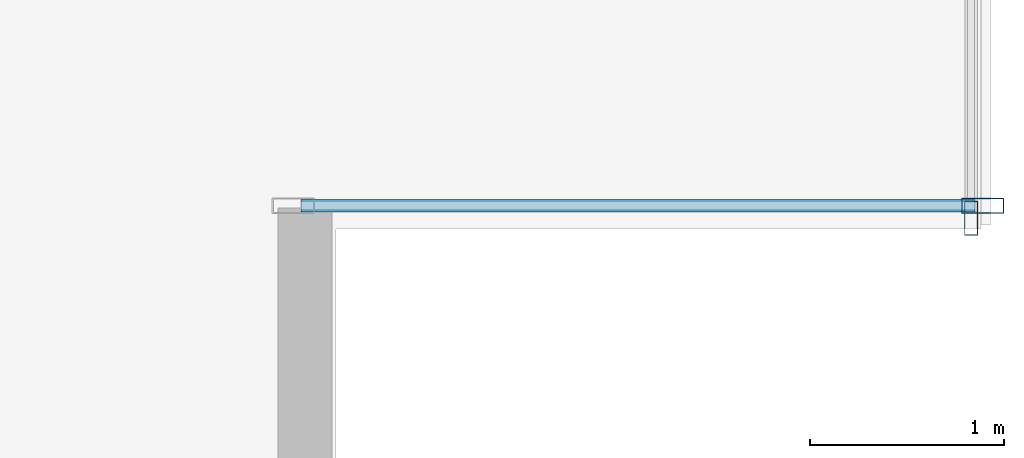
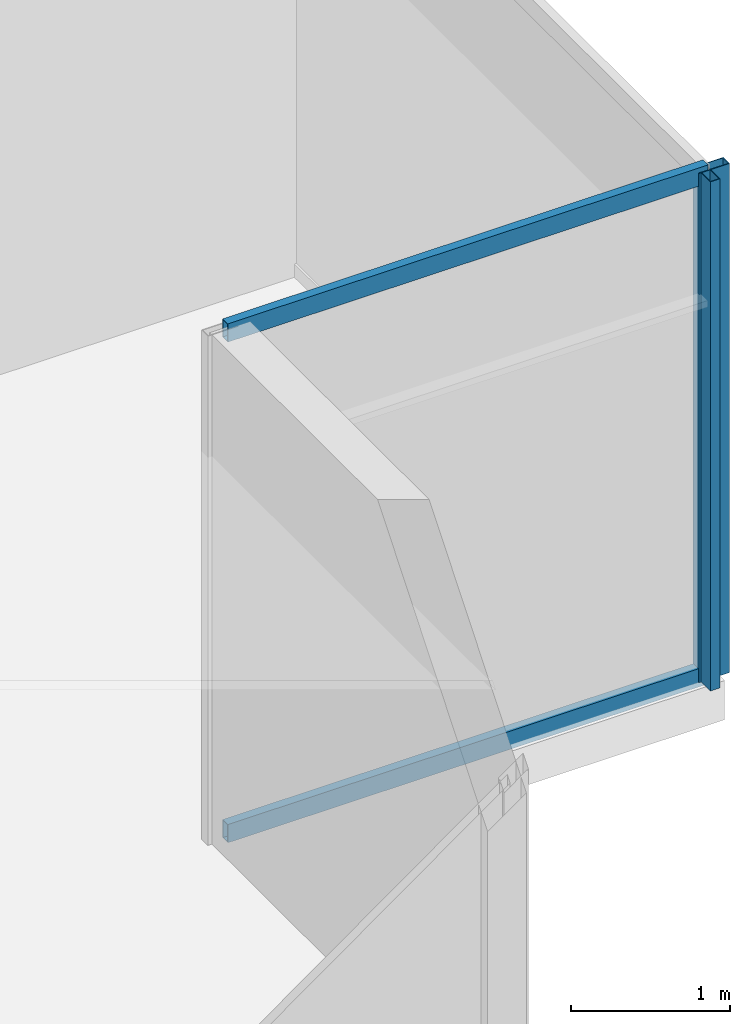
# One storey, part 14 of 32: 4 members, 2 elements without a shape of their own.
"""IFC4 building model written with IfcOpenShell, lengths in metres."""

from ifc_helpers import new_model, si_unit, direction, frame, origin, origin_2d, place, context, subcontext, project, spatial, hollow_rectangle, extrude, source, transform, mapped, material, layer, layer_set, material_profile, profile_set, type_object, type_shapes, element, aggregate, save


model = new_model("IFC4")

# Units and contexts
model_context = context("Model", 3, precision=1e-05, world=origin(), true_north=direction((0.0, 1.0)))
body_context = subcontext(model_context, "Body", "Model", "MODEL_VIEW")
ifc_project = project(units=[si_unit("LENGTHUNIT", "METRE"), si_unit("AREAUNIT", "SQUARE_METRE"), si_unit("VOLUMEUNIT", "CUBIC_METRE"), si_unit("PLANEANGLEUNIT", "RADIAN"), si_unit("MASSUNIT", "GRAM", prefix="KILO")], contexts=[model_context])

# Site, building, storey
site_placement = place(None, origin())
site = spatial("IfcSite", under=ifc_project, at=site_placement, CompositionType="ELEMENT")
building_placement = place(site_placement, origin())
building = spatial("IfcBuilding", under=site, at=building_placement, Name="Haelvirn Gate Laboratories", CompositionType="ELEMENT")
storey_placement = place(building_placement, frame((0.0, 0.0, 306.0)))
storey = spatial("IfcBuildingStorey", under=building, at=storey_placement, Name="L73", CompositionType="ELEMENT", Elevation=306.0)

# Curtain wall, member
ifc_material_1 = material(Name="Anodised bronze unitised aluminium & triple low-E glass", Category="aluminium")
ifc_layer_1 = layer(ifc_material_1, 0.176025390625, Name="CW-SYS-4")
ifc_layer_set_1 = layer_set([ifc_layer_1], Name="Anodised bronze unitised aluminium & triple low-E glass")
curtain_wall_type_1 = type_object("IfcCurtainWallType", Name="CW-SYS-4", PredefinedType="NOTDEFINED", material=ifc_layer_set_1)
curtain_wall_1_placement = place(storey_placement, origin())
curtain_wall_1 = element("IfcCurtainWall", 1, at=curtain_wall_1_placement, inside=storey, type_object=curtain_wall_type_1, Name="L73 Unitised Curtain Wall CW-L73-P0-E07", PredefinedType="NOTDEFINED")
ifc_material_2 = material(Name="Extruded aluminium 6063-T6 (anodised bronze)", Category="aluminium")
ifc_material_profile_1 = material_profile(ifc_material_2, hollow_rectangle(XDim=0.070068359375, YDim=0.179931640625, WallThickness=0.0048828125, at=origin_2d()), Name="CWM-180x70x5")
ifc_profile_set_1 = profile_set([ifc_material_profile_1], Name="Extruded aluminium 6063-T6 (anodised bronze)")
member_type_1 = type_object("IfcMemberType", Name="CWM-T180", PredefinedType="MULLION", material=ifc_profile_set_1)
shared_shape_1 = source(origin(), body_context, "Body", "SweptSolid", [
    extrude(hollow_rectangle(XDim=0.070068359375, YDim=0.179931640625, WallThickness=0.0048828125, at=origin_2d()), origin(), (0.0, 0.0, 1.0), 3.89990234375),
])
type_shapes(member_type_1, [shared_shape_1])
member_1_placement = place(storey_placement, frame((68.89990234375, 7.135009765625, 0.0), z_axis=(0.0, 0.0, 1.0), x_axis=(-1.0, 0.0, 0.0)))
member_1 = element("IfcMember", 2, at=member_1_placement, type_object=member_type_1, Name="CW4 mullion 1", PredefinedType="MULLION", context=body_context, shape_type="MappedRepresentation", body=[
    mapped(shared_shape_1, transform((0.0, 0.0, 0.0), scale=1.0)),
])
aggregate(curtain_wall_1, [member_1])

# Curtain wall, members
ifc_layer_2 = layer(ifc_material_1, 0.181884765625, Name="CW-SYS-5")
ifc_layer_set_2 = layer_set([ifc_layer_2], Name="Anodised bronze unitised aluminium & triple low-E glass")
curtain_wall_type_2 = type_object("IfcCurtainWallType", Name="CW-SYS-5", PredefinedType="NOTDEFINED", material=ifc_layer_set_2)
curtain_wall_2_placement = place(storey_placement, origin())
curtain_wall_2 = element("IfcCurtainWall", 3, at=curtain_wall_2_placement, inside=storey, type_object=curtain_wall_type_2, Name="L73 Unitised Curtain Wall CW-L73-P0-E06-1", PredefinedType="NOTDEFINED")
ifc_material_profile_2 = material_profile(ifc_material_2, hollow_rectangle(XDim=0.080078125, YDim=0.219970703125, WallThickness=0.006103515625, at=origin_2d()), Name="CWM-220x80x6")
ifc_profile_set_2 = profile_set([ifc_material_profile_2], Name="Extruded aluminium 6063-T6 (anodised bronze)")
member_type_2 = type_object("IfcMemberType", Name="CWM-T220", PredefinedType="MULLION", material=ifc_profile_set_2)
shared_shape_2 = source(origin(), body_context, "Body", "SweptSolid", [
    extrude(hollow_rectangle(XDim=0.080078125, YDim=0.219970703125, WallThickness=0.006103515625, at=origin_2d()), origin(), (0.0, 0.0, 1.0), 3.89990234375),
])
type_shapes(member_type_2, [shared_shape_2])
member_2_placement = place(storey_placement, frame((68.9599609375, 7.199951171875, 0.0), z_axis=(0.0, 0.0, 1.0), x_axis=(0.0, 1.0, 0.0)))
member_2 = element("IfcMember", 4, at=member_2_placement, type_object=member_type_2, Name="CW5 mullion 2", PredefinedType="MULLION", context=body_context, shape_type="MappedRepresentation", body=[
    mapped(shared_shape_2, transform((0.0, 0.0, 0.0), scale=1.0)),
])
ifc_material_profile_3 = material_profile(ifc_material_2, hollow_rectangle(XDim=0.06494140625, YDim=0.139892578125, WallThickness=0.00390625, at=origin_2d()), Name="CWT-140x65x4")
ifc_profile_set_3 = profile_set([ifc_material_profile_3], Name="Extruded aluminium 6063-T6 (anodised bronze)")
member_type_3 = type_object("IfcMemberType", Name="CWT-T140", PredefinedType="USERDEFINED", material=ifc_profile_set_3)
shared_shape_3 = source(origin(), body_context, "Body", "SweptSolid", [
    extrude(hollow_rectangle(XDim=0.06494140625, YDim=0.139892578125, WallThickness=0.00390625, at=origin_2d()), origin(), (0.0, 0.0, 1.0), 3.47998046875),
])
type_shapes(member_type_3, [shared_shape_3])
member_3_placement = place(storey_placement, frame((65.43994140625, 7.199951171875, 0.032470703125), z_axis=(1.0, 0.0, 0.0), x_axis=(0.0, 1.0, 0.0)))
member_3 = element("IfcMember", 5, at=member_3_placement, type_object=member_type_3, Name="CW5 transom 1.1", ObjectType="TRANSOM", PredefinedType="USERDEFINED", context=body_context, shape_type="MappedRepresentation", body=[
    mapped(shared_shape_3, transform((0.0, 0.0, 0.0), scale=1.0)),
])
member_4_placement = place(storey_placement, frame((65.43994140625, 7.199951171875, 3.867431640625), z_axis=(1.0, 0.0, 0.0), x_axis=(0.0, 1.0, 0.0)))
member_4 = element("IfcMember", 6, at=member_4_placement, type_object=member_type_3, Name="CW5 transom 1.2", ObjectType="TRANSOM", PredefinedType="USERDEFINED", context=body_context, shape_type="MappedRepresentation", body=[
    mapped(shared_shape_3, transform((0.0, 0.0, 0.0), scale=1.0)),
])
aggregate(curtain_wall_2, [member_2, member_3, member_4])

save(model, "model.ifc")
